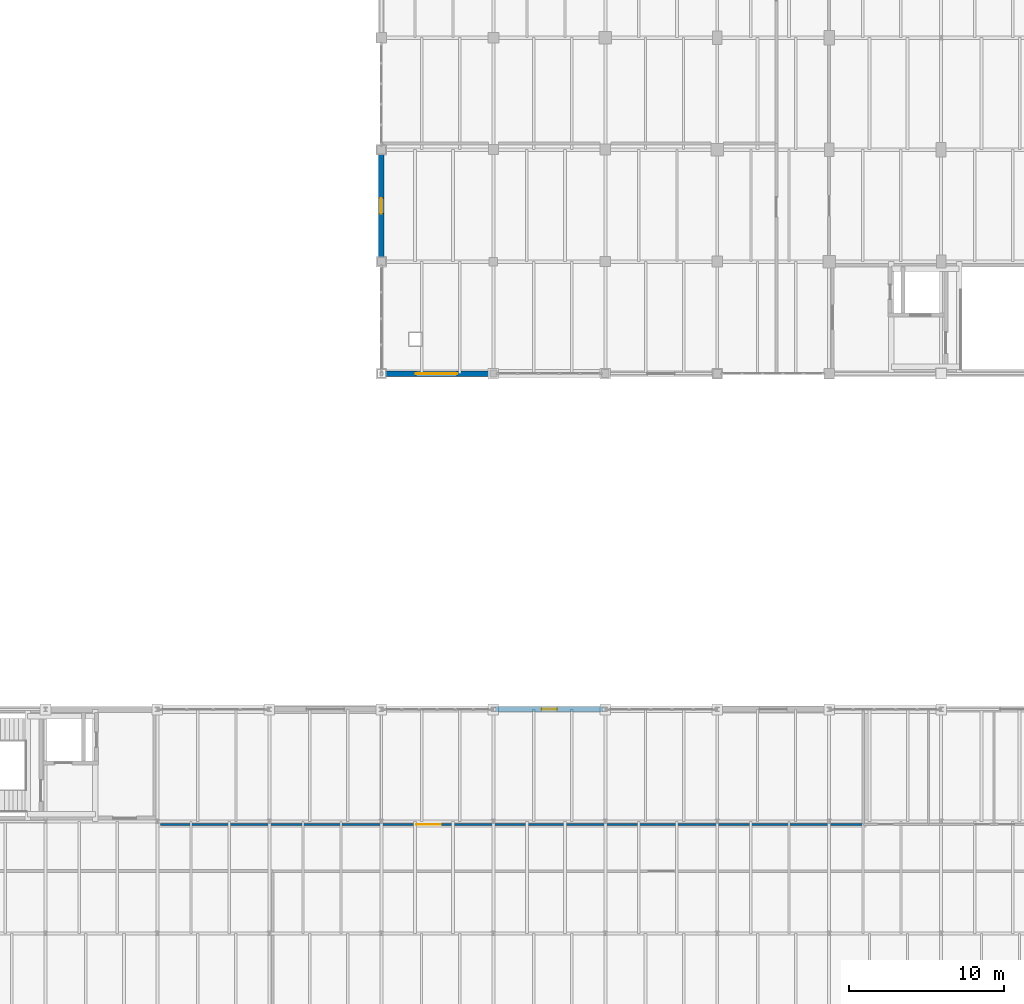
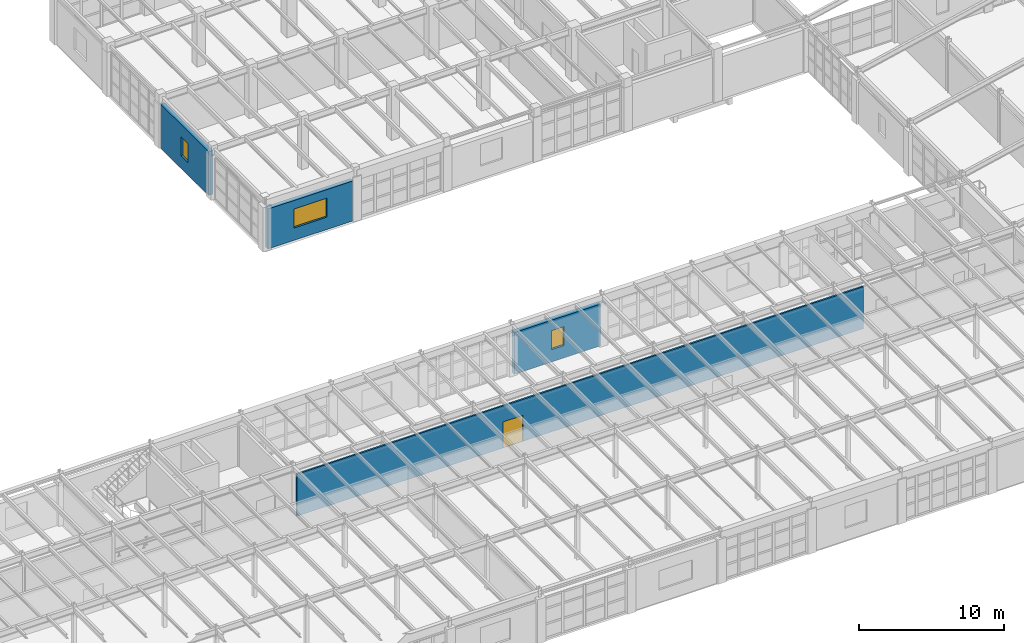
# One storey, part 126 of 137: 4 walls, 3 windows, 1 door, 4 openings.
"""IFC4 building model written with IfcOpenShell, lengths in metres."""

from ifc_helpers import new_model, si_unit, direction, frame, frame_2d, origin, place, context, subcontext, project, spatial, rectangle, extrude, material, layer, layer_set, type_object, element, fill, save


model = new_model("IFC4")

# Units and contexts
model_context = context("Model", 3, precision=1e-05, world=origin(), true_north=direction((0.0, 1.0)))
body_context = subcontext(model_context, "Body", "Model", "MODEL_VIEW")
ifc_project = project(units=[si_unit("LENGTHUNIT", "METRE"), si_unit("AREAUNIT", "SQUARE_METRE"), si_unit("VOLUMEUNIT", "CUBIC_METRE"), si_unit("PLANEANGLEUNIT", "RADIAN"), si_unit("MASSUNIT", "GRAM", prefix="KILO")], contexts=[model_context])

# Site, building, storey
site_placement = place(None, origin())
site = spatial("IfcSite", under=ifc_project, at=site_placement, CompositionType="ELEMENT")
building_placement = place(site_placement, origin())
building = spatial("IfcBuilding", under=site, at=building_placement, Name="Kemerveld Promenade Tramway Depot", CompositionType="ELEMENT")
storey_placement = place(building_placement, frame((0.0, 0.0, 5.39990234375)))
storey = spatial("IfcBuildingStorey", under=building, at=storey_placement, Name="L01", CompositionType="ELEMENT", Elevation=5.39990234375)

# Wall, opening, window
ifc_material_1 = material(Name="Banded granite and red-ochre clay brick masonry", Category="masonry")
ifc_layer_1 = layer(ifc_material_1, 0.35009765625)
ifc_layer_set_1 = layer_set([ifc_layer_1], Name="WL-EXT-350")
wall_type_1 = type_object("IfcWallType", Name="WL-EXT-350", PredefinedType="SOLIDWALL", material=ifc_layer_set_1)
wall_1_placement = place(storey_placement, frame((122.55029296875, 28.800048828125, 0.0), z_axis=(0.0, 0.0, 1.0), x_axis=(1.0, 0.0, 0.0)))
wall_1 = element("IfcWall", 1, at=wall_1_placement, inside=storey, type_object=wall_type_1, Name="WL-L01-V4N-10", PredefinedType="SOLIDWALL", context=body_context, shape_type="SweptSolid", body=[
    extrude(rectangle(XDim=6.8994140625, YDim=0.35009765625, at=frame_2d((3.44970703125, 0.0))), origin(), (0.0, 0.0, 1.0), 3.530029296875),
])
opening_1_placement = place(wall_1_placement, frame((2.949951171875, 0.0, 1.050048828125)))
opening_1 = element("IfcOpeningElement", 2, at=opening_1_placement, cuts=wall_1, Name="Opening W-167", PredefinedType="OPENING", context=body_context, shape_type="SweptSolid", body=[
    extrude(rectangle(XDim=1.0, YDim=1.60009765625, at=frame_2d((0.5, 0.800048828125))), frame((0.0, 0.18505859375, 0.0), z_axis=(0.0, -1.0, 0.0), x_axis=(1.0, 0.0, 0.0)), (0.0, 0.0, 1.0), 0.3701171875),
])
ifc_material_2 = material(Name="Bronze anodised aluminium and low-e glass", Category="aluminium")
window_type_1 = type_object("IfcWindowType", Name="WN-20", PartitioningType="SINGLE_PANEL", PredefinedType="WINDOW", material=ifc_material_2)
window_1_placement = place(opening_1_placement, origin())
window_1 = element("IfcWindow", 3, at=window_1_placement, inside=storey, type_object=window_type_1, Name="WN-L01-V4N-10", OverallHeight=1.60009765625, OverallWidth=1.0, PartitioningType="SINGLE_PANEL", PredefinedType="WINDOW", context=body_context, shape_type="SweptSolid", body=[
    extrude(rectangle(XDim=1.0, YDim=1.60009765625, at=frame_2d((0.5, 0.800048828125))), frame((0.0, 0.030029296875, 0.0), z_axis=(0.0, -1.0, 0.0), x_axis=(1.0, 0.0, 0.0)), (0.0, 0.0, 1.0), 0.06005859375),
])
fill(opening_1, window_1)

wall_2_placement = place(storey_placement, frame((115.199951171875, 57.8701171875, 0.0), z_axis=(0.0, 0.0, 1.0), x_axis=(0.0, 1.0, 0.0)))
wall_2 = element("IfcWall", 4, at=wall_2_placement, inside=storey, type_object=wall_type_1, Name="WL-L01-V3W-02", PredefinedType="SOLIDWALL", context=body_context, shape_type="SweptSolid", body=[
    extrude(rectangle(XDim=6.634765625, YDim=0.35009765625, at=frame_2d((3.3173828125, 0.0))), origin(), (0.0, 0.0, 1.0), 3.68359375),
])
opening_2_placement = place(wall_2_placement, frame((2.81689453125, 0.0, 1.050048828125)))
opening_2 = element("IfcOpeningElement", 5, at=opening_2_placement, cuts=wall_2, Name="Opening W-170", PredefinedType="OPENING", context=body_context, shape_type="SweptSolid", body=[
    extrude(rectangle(XDim=1.0, YDim=1.60009765625, at=frame_2d((0.5, 0.800048828125))), frame((0.0, 0.18505859375, 0.0), z_axis=(0.0, -1.0, 0.0), x_axis=(1.0, 0.0, 0.0)), (0.0, 0.0, 1.0), 0.3701171875),
])
window_2_placement = place(opening_2_placement, origin())
window_2 = element("IfcWindow", 6, at=window_2_placement, inside=storey, type_object=window_type_1, Name="WN-L01-V3W-02", OverallHeight=1.60009765625, OverallWidth=1.0, PartitioningType="SINGLE_PANEL", PredefinedType="WINDOW", context=body_context, shape_type="SweptSolid", body=[
    extrude(rectangle(XDim=1.0, YDim=1.60009765625, at=frame_2d((0.5, 0.800048828125))), frame((0.0, 0.030029296875, 0.0), z_axis=(0.0, -1.0, 0.0), x_axis=(1.0, 0.0, 0.0)), (0.0, 0.0, 1.0), 0.06005859375),
])
fill(opening_2, window_2)

wall_3_placement = place(storey_placement, frame((122.155029296875, 50.39990234375, 0.0), z_axis=(0.0, 0.0, 1.0), x_axis=(-1.0, 0.0, 0.0)))
wall_3 = element("IfcWall", 7, at=wall_3_placement, inside=storey, type_object=wall_type_1, Name="WL-L01-V3S-06", PredefinedType="SOLIDWALL", context=body_context, shape_type="SweptSolid", body=[
    extrude(rectangle(XDim=6.81005859375, YDim=0.35009765625, at=frame_2d((3.405029296875, 0.0))), origin(), (0.0, 0.0, 1.0), 3.3701171875),
])
opening_3_placement = place(wall_3_placement, frame((2.080078125, 0.0, 1.050048828125)))
opening_3 = element("IfcOpeningElement", 8, at=opening_3_placement, cuts=wall_3, Name="Opening W-177", PredefinedType="OPENING", context=body_context, shape_type="SweptSolid", body=[
    extrude(rectangle(XDim=2.64990234375, YDim=1.60009765625, at=frame_2d((1.324951171875, 0.800048828125))), frame((0.0, 0.18505859375, 0.0), z_axis=(0.0, -1.0, 0.0), x_axis=(1.0, 0.0, 0.0)), (0.0, 0.0, 1.0), 0.3701171875),
])
window_type_2 = type_object("IfcWindowType", Name="WN-40", PartitioningType="SINGLE_PANEL", PredefinedType="WINDOW", material=ifc_material_2)
window_3_placement = place(opening_3_placement, origin())
window_3 = element("IfcWindow", 9, at=window_3_placement, inside=storey, type_object=window_type_2, Name="WN-L01-V3S-06", OverallHeight=1.60009765625, OverallWidth=2.64990234375, PartitioningType="SINGLE_PANEL", PredefinedType="WINDOW", context=body_context, shape_type="SweptSolid", body=[
    extrude(rectangle(XDim=2.64990234375, YDim=1.60009765625, at=frame_2d((1.324951171875, 0.800048828125))), frame((0.0, 0.030029296875, 0.0), z_axis=(0.0, -1.0, 0.0), x_axis=(1.0, 0.0, 0.0)), (0.0, 0.0, 1.0), 0.06005859375),
])
fill(opening_3, window_3)

# Wall, opening, door
ifc_material_3 = material(Name="Moisture-resistant masonry partition", Category="masonry")
ifc_layer_2 = layer(ifc_material_3, 0.1298828125)
ifc_layer_set_2 = layer_set([ifc_layer_2], Name="WL-PRT-130")
wall_type_2 = type_object("IfcWallType", Name="WL-PRT-130", PredefinedType="PARTITIONING", material=ifc_layer_set_2)
wall_4_placement = place(storey_placement, frame((101.0, 21.39990234375, 0.0), z_axis=(0.0, 0.0, 1.0), x_axis=(1.0, 0.0, 0.0)))
wall_4 = element("IfcWall", 10, at=wall_4_placement, inside=storey, type_object=wall_type_2, Name="WL-PRT-RM-L01-V4-LNG", PredefinedType="PARTITIONING", context=body_context, shape_type="SweptSolid", body=[
    extrude(rectangle(XDim=45.199951171875, YDim=0.1298828125, at=frame_2d((22.60009765625, 0.0))), origin(), (0.0, 0.0, 1.0), 3.550048828125),
])
opening_4_placement = place(wall_4_placement, frame((16.429931640625, 0.0, 0.0)))
opening_4 = element("IfcOpeningElement", 11, at=opening_4_placement, cuts=wall_4, Name="Opening D-639", PredefinedType="OPENING", context=body_context, shape_type="SweptSolid", body=[
    extrude(rectangle(XDim=1.60009765625, YDim=2.199951171875, at=frame_2d((0.800048828125, 1.10009765625))), frame((0.0, 0.074951171875, 0.0), z_axis=(0.0, -1.0, 0.0), x_axis=(1.0, 0.0, 0.0)), (0.0, 0.0, 1.0), 0.14990234375),
])
ifc_material_4 = material(Name="Double glazed gallery and canteen door")
door_type = type_object("IfcDoorType", Name="DR-INT05", OperationType="DOUBLE_SWING_LEFT", PredefinedType="DOOR", material=ifc_material_4)
door_placement = place(opening_4_placement, origin())
door = element("IfcDoor", 12, at=door_placement, inside=storey, type_object=door_type, Name="DR-RM-RM-L01-V4-LNG", OperationType="DOUBLE_SWING_LEFT", OverallHeight=2.199951171875, OverallWidth=1.60009765625, PredefinedType="DOOR", context=body_context, shape_type="SweptSolid", body=[
    extrude(rectangle(XDim=1.60009765625, YDim=2.199951171875, at=frame_2d((0.800048828125, 1.10009765625))), frame((0.0, 0.02490234375, 0.0), z_axis=(0.0, -1.0, 0.0), x_axis=(1.0, 0.0, 0.0)), (0.0, 0.0, 1.0), 0.050048828125),
])
fill(opening_4, door)

save(model, "model.ifc")
